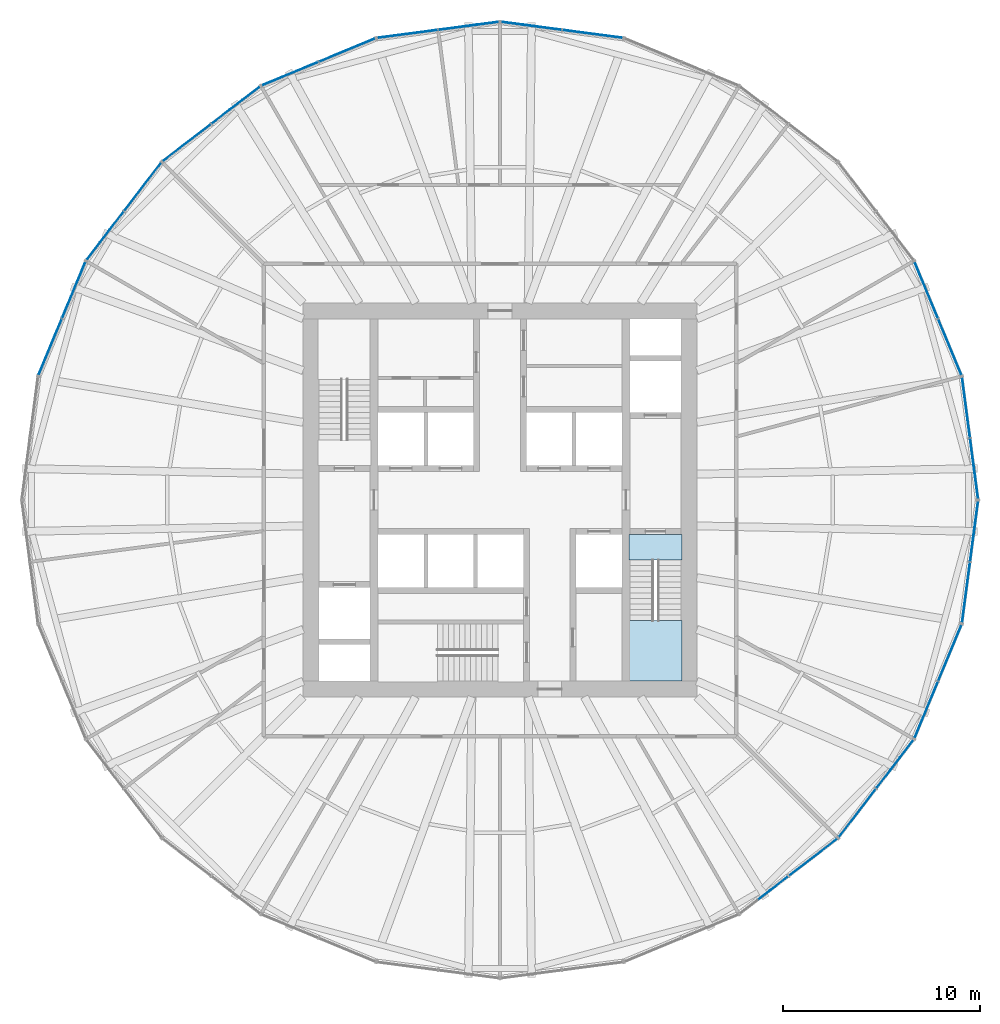
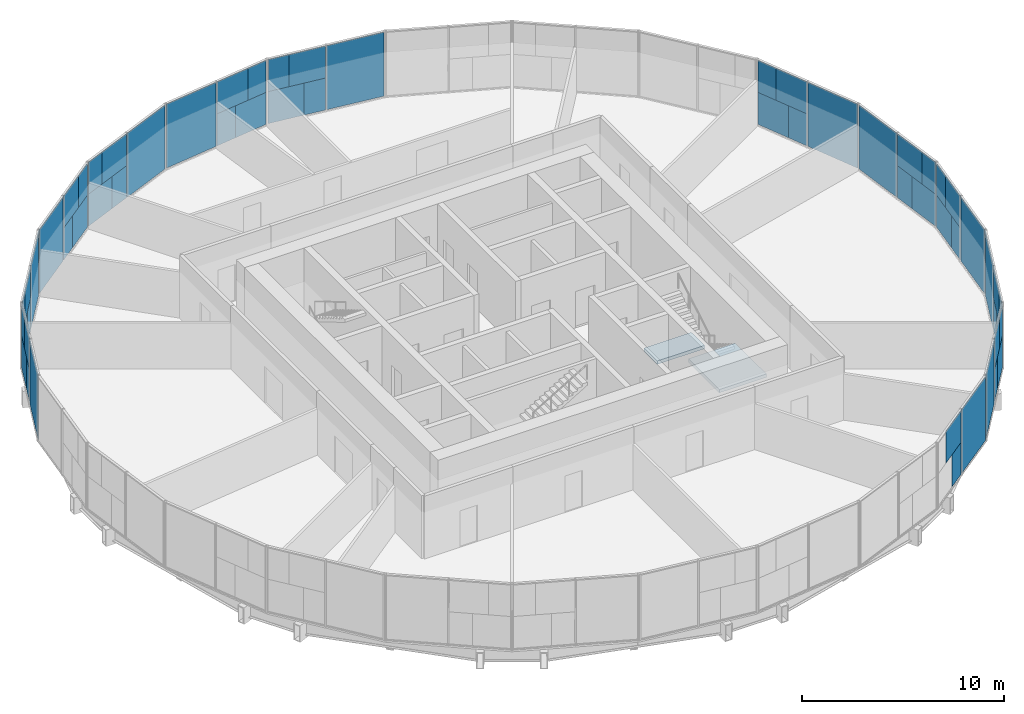
# One storey, part 9 of 13: 58 plates, 2 slabs, 13 elements without a shape of their own.
"""IFC4 building model written with IfcOpenShell, lengths in metres."""

from ifc_helpers import new_model, si_unit, direction, frame, origin, origin_2d, place, context, subcontext, project, spatial, polyline, rectangle, outline, extrude, material, layer, layer_set, type_object, element, aggregate, save


model = new_model("IFC4")

# Units and contexts
model_context = context("Model", 3, precision=1e-05, world=origin(), true_north=direction((0.0, 1.0)))
body_context = subcontext(model_context, "Body", "Model", "MODEL_VIEW")
ifc_project = project(units=[si_unit("LENGTHUNIT", "METRE"), si_unit("AREAUNIT", "SQUARE_METRE"), si_unit("VOLUMEUNIT", "CUBIC_METRE"), si_unit("PLANEANGLEUNIT", "RADIAN"), si_unit("MASSUNIT", "GRAM", prefix="KILO")], contexts=[model_context])

# Site, building, storey
site_placement = place(None, origin())
site = spatial("IfcSite", under=ifc_project, at=site_placement, CompositionType="ELEMENT")
building_placement = place(site_placement, origin())
building = spatial("IfcBuilding", under=site, at=building_placement, Name="Golbaran Civic Tower", CompositionType="ELEMENT")
storey_placement = place(building_placement, frame((0.0, 0.0, 81.0)))
storey = spatial("IfcBuildingStorey", under=building, at=storey_placement, Name="L19", CompositionType="ELEMENT", Elevation=81.0)

# Curtain wall, plates
ifc_material_1 = material(Name="Aluminium and glass", Category="aluminium")
curtain_wall_type = type_object("IfcCurtainWallType", Name="INNER SKIN CURTAIN WALL", PredefinedType="NOTDEFINED", material=ifc_material_1)
curtain_wall_1_placement = place(storey_placement, origin())
curtain_wall_1 = element("IfcCurtainWall", 1, at=curtain_wall_1_placement, inside=storey, type_object=curtain_wall_type, Name="Inner skin L19 facet 1 CW1", ObjectType="INNER SKIN", PredefinedType="USERDEFINED")
ifc_material_2 = material(Name="Clear insulating glass", Category="glass")
ifc_layer_1 = layer(ifc_material_2, 0.031982421875, Name="Clear insulating glass")
ifc_layer_set_1 = layer_set([ifc_layer_1], Name="Clear insulating glass")
plate_type_1 = type_object("IfcPlateType", Name="INNER SKIN CURTAIN WALL GLAZED PANEL", PredefinedType="CURTAIN_PANEL", material=ifc_layer_set_1)
plate_1_placement = place(storey_placement, frame((23.95654296875, 2.53271484375, 0.06494140625), z_axis=(0.0, 0.0, 1.0), x_axis=(-0.130526192151, 0.991444861383, 0.0)))
plate_1 = element("IfcPlate", 2, at=plate_1_placement, type_object=plate_type_1, Name="CW1 panel 1.1 part 2", PredefinedType="CURTAIN_PANEL", context=body_context, shape_type="SweptSolid", body=[
    extrude(rectangle(XDim=1.1669921875, YDim=0.031982421875, at=origin_2d()), origin(), (0.0, 0.0, 1.0), 1.93505859375),
])
plate_2_placement = place(storey_placement, frame((24.00830078125, 2.140625, 2.0), z_axis=(0.0, 0.0, 1.0), x_axis=(-0.130526192151, 0.991444861383, 0.0)))
plate_2 = element("IfcPlate", 3, at=plate_2_placement, type_object=plate_type_1, Name="CW1 panel 1.1 part 4", PredefinedType="CURTAIN_PANEL", context=body_context, shape_type="SweptSolid", body=[
    extrude(rectangle(XDim=1.9580078125, YDim=0.031982421875, at=origin_2d()), origin(), (0.0, 0.0, 1.0), 1.93505859375),
])
plate_3_placement = place(storey_placement, frame((23.67138671875, 4.698974609375, 0.06494140625), z_axis=(0.0, 0.0, 1.0), x_axis=(-0.130526192151, 0.991444861383, 0.0)))
plate_3 = element("IfcPlate", 4, at=plate_3_placement, type_object=plate_type_1, Name="CW1 panel 2.1", PredefinedType="CURTAIN_PANEL", context=body_context, shape_type="SweptSolid", body=[
    extrude(rectangle(XDim=3.072998046875, YDim=0.031982421875, at=origin_2d()), origin(), (0.0, 0.0, 1.0), 3.8701171875),
])

curtain_wall_2_placement = place(storey_placement, origin())
curtain_wall_2 = element("IfcCurtainWall", 5, at=curtain_wall_2_placement, inside=storey, type_object=curtain_wall_type, Name="Inner skin L19 facet 2 CW1", ObjectType="INNER SKIN", PredefinedType="USERDEFINED")
plate_4_placement = place(storey_placement, frame((22.849365234375, 7.766357421875, 0.06494140625), z_axis=(0.0, 0.0, 1.0), x_axis=(-0.382683432446, 0.923879532478, 0.0)))
plate_4 = element("IfcPlate", 6, at=plate_4_placement, type_object=plate_type_1, Name="CW1 panel 1.1", PredefinedType="CURTAIN_PANEL", context=body_context, shape_type="SweptSolid", body=[
    extrude(rectangle(XDim=3.072998046875, YDim=0.031982421875, at=origin_2d()), origin(), (0.0, 0.0, 1.0), 3.8701171875),
])
plate_5_placement = place(storey_placement, frame((22.013427734375, 9.784912109375, 0.06494140625), z_axis=(0.0, 0.0, 1.0), x_axis=(-0.382683432446, 0.923879532478, 0.0)))
plate_5 = element("IfcPlate", 7, at=plate_5_placement, type_object=plate_type_1, Name="CW1 panel 2.1 part 1", PredefinedType="CURTAIN_PANEL", context=body_context, shape_type="SweptSolid", body=[
    extrude(rectangle(XDim=1.1669921875, YDim=0.031982421875, at=origin_2d()), origin(), (0.0, 0.0, 1.0), 1.93505859375),
])
plate_6_placement = place(storey_placement, frame((21.862060546875, 10.150390625, 2.0), z_axis=(0.0, 0.0, 1.0), x_axis=(-0.382683432446, 0.923879532478, 0.0)))
plate_6 = element("IfcPlate", 8, at=plate_6_placement, type_object=plate_type_1, Name="CW1 panel 2.1 part 3", PredefinedType="CURTAIN_PANEL", context=body_context, shape_type="SweptSolid", body=[
    extrude(rectangle(XDim=1.9580078125, YDim=0.031982421875, at=origin_2d()), origin(), (0.0, 0.0, 1.0), 1.93505859375),
])

curtain_wall_3_placement = place(storey_placement, origin())
curtain_wall_3 = element("IfcCurtainWall", 9, at=curtain_wall_3_placement, inside=storey, type_object=curtain_wall_type, Name="Inner skin L19 facet 6 CW1", ObjectType="INNER SKIN", PredefinedType="USERDEFINED")
plate_7_placement = place(storey_placement, frame((4.698974609375, 23.67138671875, 0.06494140625), z_axis=(0.0, 0.0, 1.0), x_axis=(-0.991444861383, 0.130526192151, 0.0)))
plate_7 = element("IfcPlate", 10, at=plate_7_placement, type_object=plate_type_1, Name="CW1 panel 1.1", PredefinedType="CURTAIN_PANEL", context=body_context, shape_type="SweptSolid", body=[
    extrude(rectangle(XDim=3.072998046875, YDim=0.031982421875, at=origin_2d()), origin(), (0.0, 0.0, 1.0), 3.8701171875),
])
plate_8_placement = place(storey_placement, frame((2.53271484375, 23.95654296875, 0.06494140625), z_axis=(0.0, 0.0, 1.0), x_axis=(-0.991444861383, 0.130526192151, 0.0)))
plate_8 = element("IfcPlate", 11, at=plate_8_placement, type_object=plate_type_1, Name="CW1 panel 2.1 part 1", PredefinedType="CURTAIN_PANEL", context=body_context, shape_type="SweptSolid", body=[
    extrude(rectangle(XDim=1.1669921875, YDim=0.031982421875, at=origin_2d()), origin(), (0.0, 0.0, 1.0), 1.93505859375),
])
plate_9_placement = place(storey_placement, frame((2.140625, 24.00830078125, 2.0), z_axis=(0.0, 0.0, 1.0), x_axis=(-0.991444861383, 0.130526192151, 0.0)))
plate_9 = element("IfcPlate", 12, at=plate_9_placement, type_object=plate_type_1, Name="CW1 panel 2.1 part 3", PredefinedType="CURTAIN_PANEL", context=body_context, shape_type="SweptSolid", body=[
    extrude(rectangle(XDim=1.9580078125, YDim=0.031982421875, at=origin_2d()), origin(), (0.0, 0.0, 1.0), 1.93505859375),
])

curtain_wall_4_placement = place(storey_placement, origin())
curtain_wall_4 = element("IfcCurtainWall", 13, at=curtain_wall_4_placement, inside=storey, type_object=curtain_wall_type, Name="Inner skin L19 facet 7 CW1", ObjectType="INNER SKIN", PredefinedType="USERDEFINED")
plate_10_placement = place(storey_placement, frame((-2.53271484375, 23.95654296875, 0.06494140625), z_axis=(0.0, 0.0, 1.0), x_axis=(-0.991444861383, -0.130526192151, 0.0)))
plate_10 = element("IfcPlate", 14, at=plate_10_placement, type_object=plate_type_1, Name="CW1 panel 1.1 part 2", PredefinedType="CURTAIN_PANEL", context=body_context, shape_type="SweptSolid", body=[
    extrude(rectangle(XDim=1.1669921875, YDim=0.031982421875, at=origin_2d()), origin(), (0.0, 0.0, 1.0), 1.93505859375),
])
plate_11_placement = place(storey_placement, frame((-2.140625, 24.00830078125, 2.0), z_axis=(0.0, 0.0, 1.0), x_axis=(-0.991444861383, -0.130526192151, 0.0)))
plate_11 = element("IfcPlate", 15, at=plate_11_placement, type_object=plate_type_1, Name="CW1 panel 1.1 part 4", PredefinedType="CURTAIN_PANEL", context=body_context, shape_type="SweptSolid", body=[
    extrude(rectangle(XDim=1.9580078125, YDim=0.031982421875, at=origin_2d()), origin(), (0.0, 0.0, 1.0), 1.93505859375),
])
plate_12_placement = place(storey_placement, frame((-4.698974609375, 23.67138671875, 0.06494140625), z_axis=(0.0, 0.0, 1.0), x_axis=(-0.991444861383, -0.130526192151, 0.0)))
plate_12 = element("IfcPlate", 16, at=plate_12_placement, type_object=plate_type_1, Name="CW1 panel 2.1", PredefinedType="CURTAIN_PANEL", context=body_context, shape_type="SweptSolid", body=[
    extrude(rectangle(XDim=3.072998046875, YDim=0.031982421875, at=origin_2d()), origin(), (0.0, 0.0, 1.0), 3.8701171875),
])

curtain_wall_5_placement = place(storey_placement, origin())
curtain_wall_5 = element("IfcCurtainWall", 17, at=curtain_wall_5_placement, inside=storey, type_object=curtain_wall_type, Name="Inner skin L19 facet 8 CW1", ObjectType="INNER SKIN", PredefinedType="USERDEFINED")
plate_13_placement = place(storey_placement, frame((-7.766357421875, 22.849365234375, 0.06494140625), z_axis=(0.0, 0.0, 1.0), x_axis=(-0.923879532478, -0.382683432446, 0.0)))
plate_13 = element("IfcPlate", 18, at=plate_13_placement, type_object=plate_type_1, Name="CW1 panel 1.1", PredefinedType="CURTAIN_PANEL", context=body_context, shape_type="SweptSolid", body=[
    extrude(rectangle(XDim=3.072998046875, YDim=0.031982421875, at=origin_2d()), origin(), (0.0, 0.0, 1.0), 3.8701171875),
])
plate_14_placement = place(storey_placement, frame((-9.784912109375, 22.013427734375, 0.06494140625), z_axis=(0.0, 0.0, 1.0), x_axis=(-0.923879532478, -0.382683432446, 0.0)))
plate_14 = element("IfcPlate", 19, at=plate_14_placement, type_object=plate_type_1, Name="CW1 panel 2.1 part 1", PredefinedType="CURTAIN_PANEL", context=body_context, shape_type="SweptSolid", body=[
    extrude(rectangle(XDim=1.1669921875, YDim=0.031982421875, at=origin_2d()), origin(), (0.0, 0.0, 1.0), 1.93505859375),
])
plate_15_placement = place(storey_placement, frame((-10.150390625, 21.862060546875, 2.0), z_axis=(0.0, 0.0, 1.0), x_axis=(-0.923879532478, -0.382683432446, 0.0)))
plate_15 = element("IfcPlate", 20, at=plate_15_placement, type_object=plate_type_1, Name="CW1 panel 2.1 part 3", PredefinedType="CURTAIN_PANEL", context=body_context, shape_type="SweptSolid", body=[
    extrude(rectangle(XDim=1.9580078125, YDim=0.031982421875, at=origin_2d()), origin(), (0.0, 0.0, 1.0), 1.93505859375),
])

curtain_wall_6_placement = place(storey_placement, origin())
curtain_wall_6 = element("IfcCurtainWall", 21, at=curtain_wall_6_placement, inside=storey, type_object=curtain_wall_type, Name="Inner skin L19 facet 9 CW1", ObjectType="INNER SKIN", PredefinedType="USERDEFINED")
plate_16_placement = place(storey_placement, frame((-14.171630859375, 19.480712890625, 0.06494140625), z_axis=(0.0, 0.0, 1.0), x_axis=(-0.793353340281, -0.608761429023, 0.0)))
plate_16 = element("IfcPlate", 22, at=plate_16_placement, type_object=plate_type_1, Name="CW1 panel 1.1 part 2", PredefinedType="CURTAIN_PANEL", context=body_context, shape_type="SweptSolid", body=[
    extrude(rectangle(XDim=1.1669921875, YDim=0.031982421875, at=origin_2d()), origin(), (0.0, 0.0, 1.0), 1.93505859375),
])
plate_17_placement = place(storey_placement, frame((-13.85791015625, 19.721435546875, 2.0), z_axis=(0.0, 0.0, 1.0), x_axis=(-0.793353340281, -0.608761429023, 0.0)))
plate_17 = element("IfcPlate", 23, at=plate_17_placement, type_object=plate_type_1, Name="CW1 panel 1.1 part 4", PredefinedType="CURTAIN_PANEL", context=body_context, shape_type="SweptSolid", body=[
    extrude(rectangle(XDim=1.9580078125, YDim=0.031982421875, at=origin_2d()), origin(), (0.0, 0.0, 1.0), 1.93505859375),
])
plate_18_placement = place(storey_placement, frame((-15.905029296875, 18.150634765625, 0.06494140625), z_axis=(0.0, 0.0, 1.0), x_axis=(-0.793353340281, -0.608761429023, 0.0)))
plate_18 = element("IfcPlate", 24, at=plate_18_placement, type_object=plate_type_1, Name="CW1 panel 2.1", PredefinedType="CURTAIN_PANEL", context=body_context, shape_type="SweptSolid", body=[
    extrude(rectangle(XDim=3.072998046875, YDim=0.031982421875, at=origin_2d()), origin(), (0.0, 0.0, 1.0), 3.8701171875),
])

curtain_wall_7_placement = place(storey_placement, origin())
curtain_wall_7 = element("IfcCurtainWall", 25, at=curtain_wall_7_placement, inside=storey, type_object=curtain_wall_type, Name="Inner skin L19 facet 10 CW1", ObjectType="INNER SKIN", PredefinedType="USERDEFINED")
plate_19_placement = place(storey_placement, frame((-18.150634765625, 15.905029296875, 0.06494140625), z_axis=(0.0, 0.0, 1.0), x_axis=(-0.608761429023, -0.793353340281, 0.0)))
plate_19 = element("IfcPlate", 26, at=plate_19_placement, type_object=plate_type_1, Name="CW1 panel 1.1", PredefinedType="CURTAIN_PANEL", context=body_context, shape_type="SweptSolid", body=[
    extrude(rectangle(XDim=3.072998046875, YDim=0.031982421875, at=origin_2d()), origin(), (0.0, 0.0, 1.0), 3.8701171875),
])
plate_20_placement = place(storey_placement, frame((-19.480712890625, 14.171630859375, 0.06494140625), z_axis=(0.0, 0.0, 1.0), x_axis=(-0.608761429023, -0.793353340281, 0.0)))
plate_20 = element("IfcPlate", 27, at=plate_20_placement, type_object=plate_type_1, Name="CW1 panel 2.1 part 1", PredefinedType="CURTAIN_PANEL", context=body_context, shape_type="SweptSolid", body=[
    extrude(rectangle(XDim=1.1669921875, YDim=0.031982421875, at=origin_2d()), origin(), (0.0, 0.0, 1.0), 1.93505859375),
])
plate_21_placement = place(storey_placement, frame((-19.721435546875, 13.85791015625, 2.0), z_axis=(0.0, 0.0, 1.0), x_axis=(-0.608761429023, -0.793353340281, 0.0)))
plate_21 = element("IfcPlate", 28, at=plate_21_placement, type_object=plate_type_1, Name="CW1 panel 2.1 part 3", PredefinedType="CURTAIN_PANEL", context=body_context, shape_type="SweptSolid", body=[
    extrude(rectangle(XDim=1.9580078125, YDim=0.031982421875, at=origin_2d()), origin(), (0.0, 0.0, 1.0), 1.93505859375),
])

curtain_wall_8_placement = place(storey_placement, origin())
curtain_wall_8 = element("IfcCurtainWall", 29, at=curtain_wall_8_placement, inside=storey, type_object=curtain_wall_type, Name="Inner skin L19 facet 11 CW1", ObjectType="INNER SKIN", PredefinedType="USERDEFINED")
plate_22_placement = place(storey_placement, frame((-22.013427734375, 9.784912109375, 0.06494140625), z_axis=(0.0, 0.0, 1.0), x_axis=(-0.382683432446, -0.923879532478, 0.0)))
plate_22 = element("IfcPlate", 30, at=plate_22_placement, type_object=plate_type_1, Name="CW1 panel 1.1 part 2", PredefinedType="CURTAIN_PANEL", context=body_context, shape_type="SweptSolid", body=[
    extrude(rectangle(XDim=1.1669921875, YDim=0.031982421875, at=origin_2d()), origin(), (0.0, 0.0, 1.0), 1.93505859375),
])
plate_23_placement = place(storey_placement, frame((-21.862060546875, 10.150390625, 2.0), z_axis=(0.0, 0.0, 1.0), x_axis=(-0.382683432446, -0.923879532478, 0.0)))
plate_23 = element("IfcPlate", 31, at=plate_23_placement, type_object=plate_type_1, Name="CW1 panel 1.1 part 4", PredefinedType="CURTAIN_PANEL", context=body_context, shape_type="SweptSolid", body=[
    extrude(rectangle(XDim=1.9580078125, YDim=0.031982421875, at=origin_2d()), origin(), (0.0, 0.0, 1.0), 1.93505859375),
])
plate_24_placement = place(storey_placement, frame((-22.849365234375, 7.766357421875, 0.06494140625), z_axis=(0.0, 0.0, 1.0), x_axis=(-0.382683432446, -0.923879532478, 0.0)))
plate_24 = element("IfcPlate", 32, at=plate_24_placement, type_object=plate_type_1, Name="CW1 panel 2.1", PredefinedType="CURTAIN_PANEL", context=body_context, shape_type="SweptSolid", body=[
    extrude(rectangle(XDim=3.072998046875, YDim=0.031982421875, at=origin_2d()), origin(), (0.0, 0.0, 1.0), 3.8701171875),
])

curtain_wall_9_placement = place(storey_placement, origin())
curtain_wall_9 = element("IfcCurtainWall", 33, at=curtain_wall_9_placement, inside=storey, type_object=curtain_wall_type, Name="Inner skin L19 facet 21 CW1", ObjectType="INNER SKIN", PredefinedType="USERDEFINED")
plate_25_placement = place(storey_placement, frame((14.171630859375, -19.480712890625, 0.06494140625), z_axis=(0.0, 0.0, 1.0), x_axis=(0.793353340281, 0.608761429023, 0.0)))
plate_25 = element("IfcPlate", 34, at=plate_25_placement, type_object=plate_type_1, Name="CW1 panel 1.1 part 2", PredefinedType="CURTAIN_PANEL", context=body_context, shape_type="SweptSolid", body=[
    extrude(rectangle(XDim=1.1669921875, YDim=0.031982421875, at=origin_2d()), origin(), (0.0, 0.0, 1.0), 1.93505859375),
])
plate_26_placement = place(storey_placement, frame((13.85791015625, -19.721435546875, 2.0), z_axis=(0.0, 0.0, 1.0), x_axis=(0.793353340281, 0.608761429023, 0.0)))
plate_26 = element("IfcPlate", 35, at=plate_26_placement, type_object=plate_type_1, Name="CW1 panel 1.1 part 4", PredefinedType="CURTAIN_PANEL", context=body_context, shape_type="SweptSolid", body=[
    extrude(rectangle(XDim=1.9580078125, YDim=0.031982421875, at=origin_2d()), origin(), (0.0, 0.0, 1.0), 1.93505859375),
])
plate_27_placement = place(storey_placement, frame((15.905029296875, -18.150634765625, 0.06494140625), z_axis=(0.0, 0.0, 1.0), x_axis=(0.793353340281, 0.608761429023, 0.0)))
plate_27 = element("IfcPlate", 36, at=plate_27_placement, type_object=plate_type_1, Name="CW1 panel 2.1", PredefinedType="CURTAIN_PANEL", context=body_context, shape_type="SweptSolid", body=[
    extrude(rectangle(XDim=3.072998046875, YDim=0.031982421875, at=origin_2d()), origin(), (0.0, 0.0, 1.0), 3.8701171875),
])
aggregate(curtain_wall_9, [plate_25, plate_26, plate_27])

curtain_wall_10_placement = place(storey_placement, origin())
curtain_wall_10 = element("IfcCurtainWall", 37, at=curtain_wall_10_placement, inside=storey, type_object=curtain_wall_type, Name="Inner skin L19 facet 22 CW1", ObjectType="INNER SKIN", PredefinedType="USERDEFINED")
plate_28_placement = place(storey_placement, frame((18.150634765625, -15.905029296875, 0.06494140625), z_axis=(0.0, 0.0, 1.0), x_axis=(0.608761429023, 0.793353340281, 0.0)))
plate_28 = element("IfcPlate", 38, at=plate_28_placement, type_object=plate_type_1, Name="CW1 panel 1.1", PredefinedType="CURTAIN_PANEL", context=body_context, shape_type="SweptSolid", body=[
    extrude(rectangle(XDim=3.072998046875, YDim=0.031982421875, at=origin_2d()), origin(), (0.0, 0.0, 1.0), 3.8701171875),
])
plate_29_placement = place(storey_placement, frame((19.480712890625, -14.171630859375, 0.06494140625), z_axis=(0.0, 0.0, 1.0), x_axis=(0.608761429023, 0.793353340281, 0.0)))
plate_29 = element("IfcPlate", 39, at=plate_29_placement, type_object=plate_type_1, Name="CW1 panel 2.1 part 1", PredefinedType="CURTAIN_PANEL", context=body_context, shape_type="SweptSolid", body=[
    extrude(rectangle(XDim=1.1669921875, YDim=0.031982421875, at=origin_2d()), origin(), (0.0, 0.0, 1.0), 1.93505859375),
])
plate_30_placement = place(storey_placement, frame((19.721435546875, -13.85791015625, 2.0), z_axis=(0.0, 0.0, 1.0), x_axis=(0.608761429023, 0.793353340281, 0.0)))
plate_30 = element("IfcPlate", 40, at=plate_30_placement, type_object=plate_type_1, Name="CW1 panel 2.1 part 3", PredefinedType="CURTAIN_PANEL", context=body_context, shape_type="SweptSolid", body=[
    extrude(rectangle(XDim=1.9580078125, YDim=0.031982421875, at=origin_2d()), origin(), (0.0, 0.0, 1.0), 1.93505859375),
])

curtain_wall_11_placement = place(storey_placement, origin())
curtain_wall_11 = element("IfcCurtainWall", 41, at=curtain_wall_11_placement, inside=storey, type_object=curtain_wall_type, Name="Inner skin L19 facet 23 CW1", ObjectType="INNER SKIN", PredefinedType="USERDEFINED")
plate_31_placement = place(storey_placement, frame((22.013427734375, -9.784912109375, 0.06494140625), z_axis=(0.0, 0.0, 1.0), x_axis=(0.382683432446, 0.923879532478, 0.0)))
plate_31 = element("IfcPlate", 42, at=plate_31_placement, type_object=plate_type_1, Name="CW1 panel 1.1 part 2", PredefinedType="CURTAIN_PANEL", context=body_context, shape_type="SweptSolid", body=[
    extrude(rectangle(XDim=1.1669921875, YDim=0.031982421875, at=origin_2d()), origin(), (0.0, 0.0, 1.0), 1.93505859375),
])
plate_32_placement = place(storey_placement, frame((21.862060546875, -10.150390625, 2.0), z_axis=(0.0, 0.0, 1.0), x_axis=(0.382683432446, 0.923879532478, 0.0)))
plate_32 = element("IfcPlate", 43, at=plate_32_placement, type_object=plate_type_1, Name="CW1 panel 1.1 part 4", PredefinedType="CURTAIN_PANEL", context=body_context, shape_type="SweptSolid", body=[
    extrude(rectangle(XDim=1.9580078125, YDim=0.031982421875, at=origin_2d()), origin(), (0.0, 0.0, 1.0), 1.93505859375),
])
plate_33_placement = place(storey_placement, frame((22.849365234375, -7.766357421875, 0.06494140625), z_axis=(0.0, 0.0, 1.0), x_axis=(0.382683432446, 0.923879532478, 0.0)))
plate_33 = element("IfcPlate", 44, at=plate_33_placement, type_object=plate_type_1, Name="CW1 panel 2.1", PredefinedType="CURTAIN_PANEL", context=body_context, shape_type="SweptSolid", body=[
    extrude(rectangle(XDim=3.072998046875, YDim=0.031982421875, at=origin_2d()), origin(), (0.0, 0.0, 1.0), 3.8701171875),
])

curtain_wall_12_placement = place(storey_placement, origin())
curtain_wall_12 = element("IfcCurtainWall", 45, at=curtain_wall_12_placement, inside=storey, type_object=curtain_wall_type, Name="Inner skin L19 facet 24 CW1", ObjectType="INNER SKIN", PredefinedType="USERDEFINED")
plate_34_placement = place(storey_placement, frame((23.67138671875, -4.698974609375, 0.06494140625), z_axis=(0.0, 0.0, 1.0), x_axis=(0.130526192151, 0.991444861383, 0.0)))
plate_34 = element("IfcPlate", 46, at=plate_34_placement, type_object=plate_type_1, Name="CW1 panel 1.1", PredefinedType="CURTAIN_PANEL", context=body_context, shape_type="SweptSolid", body=[
    extrude(rectangle(XDim=3.072998046875, YDim=0.031982421875, at=origin_2d()), origin(), (0.0, 0.0, 1.0), 3.8701171875),
])
plate_35_placement = place(storey_placement, frame((23.95654296875, -2.53271484375, 0.06494140625), z_axis=(0.0, 0.0, 1.0), x_axis=(0.130526192151, 0.991444861383, 0.0)))
plate_35 = element("IfcPlate", 47, at=plate_35_placement, type_object=plate_type_1, Name="CW1 panel 2.1 part 1", PredefinedType="CURTAIN_PANEL", context=body_context, shape_type="SweptSolid", body=[
    extrude(rectangle(XDim=1.1669921875, YDim=0.031982421875, at=origin_2d()), origin(), (0.0, 0.0, 1.0), 1.93505859375),
])
plate_36_placement = place(storey_placement, frame((24.00830078125, -2.140625, 2.0), z_axis=(0.0, 0.0, 1.0), x_axis=(0.130526192151, 0.991444861383, 0.0)))
plate_36 = element("IfcPlate", 48, at=plate_36_placement, type_object=plate_type_1, Name="CW1 panel 2.1 part 3", PredefinedType="CURTAIN_PANEL", context=body_context, shape_type="SweptSolid", body=[
    extrude(rectangle(XDim=1.9580078125, YDim=0.031982421875, at=origin_2d()), origin(), (0.0, 0.0, 1.0), 1.93505859375),
])

# Plate
ifc_material_3 = material(Name="Aluminium faced opaque infill panel", Category="aluminium")
ifc_layer_2 = layer(ifc_material_3, 0.031982421875, Name="Aluminium faced opaque infill panel")
ifc_layer_set_2 = layer_set([ifc_layer_2], Name="Aluminium faced opaque infill panel")
plate_type_2 = type_object("IfcPlateType", Name="INNER SKIN CURTAIN WALL OPAQUE INFILL PANEL", PredefinedType="CURTAIN_PANEL", material=ifc_layer_set_2)
plate_37_placement = place(storey_placement, frame((24.1572265625, 1.00927734375, 0.06494140625), z_axis=(0.0, 0.0, 1.0), x_axis=(-0.130526192151, 0.991444861383, 0.0)))
plate_37 = element("IfcPlate", 49, at=plate_37_placement, type_object=plate_type_2, Name="CW1 infill panel 1.1 part 1", PredefinedType="CURTAIN_PANEL", context=body_context, shape_type="SweptSolid", body=[
    extrude(rectangle(XDim=1.906005859375, YDim=0.031982421875, at=origin_2d()), origin(), (0.0, 0.0, 1.0), 1.93505859375),
])

plate_38_placement = place(storey_placement, frame((24.208740234375, 0.6171875, 2.0), z_axis=(0.0, 0.0, 1.0), x_axis=(-0.130526192151, 0.991444861383, 0.0)))
plate_38 = element("IfcPlate", 50, at=plate_38_placement, type_object=plate_type_2, Name="CW1 infill panel 1.1 part 3", PredefinedType="CURTAIN_PANEL", context=body_context, shape_type="SweptSolid", body=[
    extrude(rectangle(XDim=1.114990234375, YDim=0.031982421875, at=origin_2d()), origin(), (0.0, 0.0, 1.0), 1.93505859375),
])

aggregate(curtain_wall_1, [plate_37, plate_1, plate_38, plate_2, plate_3])

plate_39_placement = place(storey_placement, frame((21.42529296875, 11.20458984375, 0.06494140625), z_axis=(0.0, 0.0, 1.0), x_axis=(-0.382683432446, 0.923879532478, 0.0)))
plate_39 = element("IfcPlate", 51, at=plate_39_placement, type_object=plate_type_2, Name="CW1 infill panel 2.1 part 2", PredefinedType="CURTAIN_PANEL", context=body_context, shape_type="SweptSolid", body=[
    extrude(rectangle(XDim=1.906005859375, YDim=0.031982421875, at=origin_2d()), origin(), (0.0, 0.0, 1.0), 1.93505859375),
])

plate_40_placement = place(storey_placement, frame((21.27392578125, 11.56982421875, 2.0), z_axis=(0.0, 0.0, 1.0), x_axis=(-0.382683432446, 0.923879532478, 0.0)))
plate_40 = element("IfcPlate", 52, at=plate_40_placement, type_object=plate_type_2, Name="CW1 infill panel 2.1 part 4", PredefinedType="CURTAIN_PANEL", context=body_context, shape_type="SweptSolid", body=[
    extrude(rectangle(XDim=1.114990234375, YDim=0.031982421875, at=origin_2d()), origin(), (0.0, 0.0, 1.0), 1.93505859375),
])

aggregate(curtain_wall_2, [plate_4, plate_5, plate_39, plate_6, plate_40])

plate_41_placement = place(storey_placement, frame((1.00927734375, 24.1572265625, 0.06494140625), z_axis=(0.0, 0.0, 1.0), x_axis=(-0.991444861383, 0.130526192151, 0.0)))
plate_41 = element("IfcPlate", 53, at=plate_41_placement, type_object=plate_type_2, Name="CW1 infill panel 2.1 part 2", PredefinedType="CURTAIN_PANEL", context=body_context, shape_type="SweptSolid", body=[
    extrude(rectangle(XDim=1.906005859375, YDim=0.031982421875, at=origin_2d()), origin(), (0.0, 0.0, 1.0), 1.93505859375),
])

plate_42_placement = place(storey_placement, frame((0.6171875, 24.208740234375, 2.0), z_axis=(0.0, 0.0, 1.0), x_axis=(-0.991444861383, 0.130526192151, 0.0)))
plate_42 = element("IfcPlate", 54, at=plate_42_placement, type_object=plate_type_2, Name="CW1 infill panel 2.1 part 4", PredefinedType="CURTAIN_PANEL", context=body_context, shape_type="SweptSolid", body=[
    extrude(rectangle(XDim=1.114990234375, YDim=0.031982421875, at=origin_2d()), origin(), (0.0, 0.0, 1.0), 1.93505859375),
])

aggregate(curtain_wall_3, [plate_7, plate_8, plate_41, plate_9, plate_42])

plate_43_placement = place(storey_placement, frame((-1.00927734375, 24.1572265625, 0.06494140625), z_axis=(0.0, 0.0, 1.0), x_axis=(-0.991444861383, -0.130526192151, 0.0)))
plate_43 = element("IfcPlate", 55, at=plate_43_placement, type_object=plate_type_2, Name="CW1 infill panel 1.1 part 1", PredefinedType="CURTAIN_PANEL", context=body_context, shape_type="SweptSolid", body=[
    extrude(rectangle(XDim=1.906005859375, YDim=0.031982421875, at=origin_2d()), origin(), (0.0, 0.0, 1.0), 1.93505859375),
])

plate_44_placement = place(storey_placement, frame((-0.6171875, 24.208740234375, 2.0), z_axis=(0.0, 0.0, 1.0), x_axis=(-0.991444861383, -0.130526192151, 0.0)))
plate_44 = element("IfcPlate", 56, at=plate_44_placement, type_object=plate_type_2, Name="CW1 infill panel 1.1 part 3", PredefinedType="CURTAIN_PANEL", context=body_context, shape_type="SweptSolid", body=[
    extrude(rectangle(XDim=1.114990234375, YDim=0.031982421875, at=origin_2d()), origin(), (0.0, 0.0, 1.0), 1.93505859375),
])

aggregate(curtain_wall_4, [plate_43, plate_10, plate_44, plate_11, plate_12])

plate_45_placement = place(storey_placement, frame((-11.20458984375, 21.42529296875, 0.06494140625), z_axis=(0.0, 0.0, 1.0), x_axis=(-0.923879532478, -0.382683432446, 0.0)))
plate_45 = element("IfcPlate", 57, at=plate_45_placement, type_object=plate_type_2, Name="CW1 infill panel 2.1 part 2", PredefinedType="CURTAIN_PANEL", context=body_context, shape_type="SweptSolid", body=[
    extrude(rectangle(XDim=1.906005859375, YDim=0.031982421875, at=origin_2d()), origin(), (0.0, 0.0, 1.0), 1.93505859375),
])

plate_46_placement = place(storey_placement, frame((-11.56982421875, 21.27392578125, 2.0), z_axis=(0.0, 0.0, 1.0), x_axis=(-0.923879532478, -0.382683432446, 0.0)))
plate_46 = element("IfcPlate", 58, at=plate_46_placement, type_object=plate_type_2, Name="CW1 infill panel 2.1 part 4", PredefinedType="CURTAIN_PANEL", context=body_context, shape_type="SweptSolid", body=[
    extrude(rectangle(XDim=1.114990234375, YDim=0.031982421875, at=origin_2d()), origin(), (0.0, 0.0, 1.0), 1.93505859375),
])

aggregate(curtain_wall_5, [plate_13, plate_14, plate_45, plate_15, plate_46])

plate_47_placement = place(storey_placement, frame((-12.95263671875, 20.416015625, 0.06494140625), z_axis=(0.0, 0.0, 1.0), x_axis=(-0.793353340281, -0.608761429023, 0.0)))
plate_47 = element("IfcPlate", 59, at=plate_47_placement, type_object=plate_type_2, Name="CW1 infill panel 1.1 part 1", PredefinedType="CURTAIN_PANEL", context=body_context, shape_type="SweptSolid", body=[
    extrude(rectangle(XDim=1.906005859375, YDim=0.031982421875, at=origin_2d()), origin(), (0.0, 0.0, 1.0), 1.93505859375),
])

plate_48_placement = place(storey_placement, frame((-12.638916015625, 20.65673828125, 2.0), z_axis=(0.0, 0.0, 1.0), x_axis=(-0.793353340281, -0.608761429023, 0.0)))
plate_48 = element("IfcPlate", 60, at=plate_48_placement, type_object=plate_type_2, Name="CW1 infill panel 1.1 part 3", PredefinedType="CURTAIN_PANEL", context=body_context, shape_type="SweptSolid", body=[
    extrude(rectangle(XDim=1.114990234375, YDim=0.031982421875, at=origin_2d()), origin(), (0.0, 0.0, 1.0), 1.93505859375),
])

aggregate(curtain_wall_6, [plate_47, plate_16, plate_48, plate_17, plate_18])

plate_49_placement = place(storey_placement, frame((-20.416015625, 12.95263671875, 0.06494140625), z_axis=(0.0, 0.0, 1.0), x_axis=(-0.608761429023, -0.793353340281, 0.0)))
plate_49 = element("IfcPlate", 61, at=plate_49_placement, type_object=plate_type_2, Name="CW1 infill panel 2.1 part 2", PredefinedType="CURTAIN_PANEL", context=body_context, shape_type="SweptSolid", body=[
    extrude(rectangle(XDim=1.906005859375, YDim=0.031982421875, at=origin_2d()), origin(), (0.0, 0.0, 1.0), 1.93505859375),
])

plate_50_placement = place(storey_placement, frame((-20.65673828125, 12.638916015625, 2.0), z_axis=(0.0, 0.0, 1.0), x_axis=(-0.608761429023, -0.793353340281, 0.0)))
plate_50 = element("IfcPlate", 62, at=plate_50_placement, type_object=plate_type_2, Name="CW1 infill panel 2.1 part 4", PredefinedType="CURTAIN_PANEL", context=body_context, shape_type="SweptSolid", body=[
    extrude(rectangle(XDim=1.114990234375, YDim=0.031982421875, at=origin_2d()), origin(), (0.0, 0.0, 1.0), 1.93505859375),
])

aggregate(curtain_wall_7, [plate_19, plate_20, plate_49, plate_21, plate_50])

plate_51_placement = place(storey_placement, frame((-21.42529296875, 11.20458984375, 0.06494140625), z_axis=(0.0, 0.0, 1.0), x_axis=(-0.382683432446, -0.923879532478, 0.0)))
plate_51 = element("IfcPlate", 63, at=plate_51_placement, type_object=plate_type_2, Name="CW1 infill panel 1.1 part 1", PredefinedType="CURTAIN_PANEL", context=body_context, shape_type="SweptSolid", body=[
    extrude(rectangle(XDim=1.906005859375, YDim=0.031982421875, at=origin_2d()), origin(), (0.0, 0.0, 1.0), 1.93505859375),
])

plate_52_placement = place(storey_placement, frame((-21.27392578125, 11.56982421875, 2.0), z_axis=(0.0, 0.0, 1.0), x_axis=(-0.382683432446, -0.923879532478, 0.0)))
plate_52 = element("IfcPlate", 64, at=plate_52_placement, type_object=plate_type_2, Name="CW1 infill panel 1.1 part 3", PredefinedType="CURTAIN_PANEL", context=body_context, shape_type="SweptSolid", body=[
    extrude(rectangle(XDim=1.114990234375, YDim=0.031982421875, at=origin_2d()), origin(), (0.0, 0.0, 1.0), 1.93505859375),
])

aggregate(curtain_wall_8, [plate_51, plate_22, plate_52, plate_23, plate_24])

plate_53_placement = place(storey_placement, frame((20.416015625, -12.95263671875, 0.06494140625), z_axis=(0.0, 0.0, 1.0), x_axis=(0.608761429023, 0.793353340281, 0.0)))
plate_53 = element("IfcPlate", 65, at=plate_53_placement, type_object=plate_type_2, Name="CW1 infill panel 2.1 part 2", PredefinedType="CURTAIN_PANEL", context=body_context, shape_type="SweptSolid", body=[
    extrude(rectangle(XDim=1.906005859375, YDim=0.031982421875, at=origin_2d()), origin(), (0.0, 0.0, 1.0), 1.93505859375),
])

plate_54_placement = place(storey_placement, frame((20.65673828125, -12.638916015625, 2.0), z_axis=(0.0, 0.0, 1.0), x_axis=(0.608761429023, 0.793353340281, 0.0)))
plate_54 = element("IfcPlate", 66, at=plate_54_placement, type_object=plate_type_2, Name="CW1 infill panel 2.1 part 4", PredefinedType="CURTAIN_PANEL", context=body_context, shape_type="SweptSolid", body=[
    extrude(rectangle(XDim=1.114990234375, YDim=0.031982421875, at=origin_2d()), origin(), (0.0, 0.0, 1.0), 1.93505859375),
])

aggregate(curtain_wall_10, [plate_28, plate_29, plate_53, plate_30, plate_54])

plate_55_placement = place(storey_placement, frame((21.42529296875, -11.20458984375, 0.06494140625), z_axis=(0.0, 0.0, 1.0), x_axis=(0.382683432446, 0.923879532478, 0.0)))
plate_55 = element("IfcPlate", 67, at=plate_55_placement, type_object=plate_type_2, Name="CW1 infill panel 1.1 part 1", PredefinedType="CURTAIN_PANEL", context=body_context, shape_type="SweptSolid", body=[
    extrude(rectangle(XDim=1.906005859375, YDim=0.031982421875, at=origin_2d()), origin(), (0.0, 0.0, 1.0), 1.93505859375),
])

plate_56_placement = place(storey_placement, frame((21.27392578125, -11.56982421875, 2.0), z_axis=(0.0, 0.0, 1.0), x_axis=(0.382683432446, 0.923879532478, 0.0)))
plate_56 = element("IfcPlate", 68, at=plate_56_placement, type_object=plate_type_2, Name="CW1 infill panel 1.1 part 3", PredefinedType="CURTAIN_PANEL", context=body_context, shape_type="SweptSolid", body=[
    extrude(rectangle(XDim=1.114990234375, YDim=0.031982421875, at=origin_2d()), origin(), (0.0, 0.0, 1.0), 1.93505859375),
])

aggregate(curtain_wall_11, [plate_55, plate_31, plate_56, plate_32, plate_33])

plate_57_placement = place(storey_placement, frame((24.1572265625, -1.00927734375, 0.06494140625), z_axis=(0.0, 0.0, 1.0), x_axis=(0.130526192151, 0.991444861383, 0.0)))
plate_57 = element("IfcPlate", 69, at=plate_57_placement, type_object=plate_type_2, Name="CW1 infill panel 2.1 part 2", PredefinedType="CURTAIN_PANEL", context=body_context, shape_type="SweptSolid", body=[
    extrude(rectangle(XDim=1.906005859375, YDim=0.031982421875, at=origin_2d()), origin(), (0.0, 0.0, 1.0), 1.93505859375),
])

plate_58_placement = place(storey_placement, frame((24.208740234375, -0.6171875, 2.0), z_axis=(0.0, 0.0, 1.0), x_axis=(0.130526192151, 0.991444861383, 0.0)))
plate_58 = element("IfcPlate", 70, at=plate_58_placement, type_object=plate_type_2, Name="CW1 infill panel 2.1 part 4", PredefinedType="CURTAIN_PANEL", context=body_context, shape_type="SweptSolid", body=[
    extrude(rectangle(XDim=1.114990234375, YDim=0.031982421875, at=origin_2d()), origin(), (0.0, 0.0, 1.0), 1.93505859375),
])

aggregate(curtain_wall_12, [plate_34, plate_35, plate_57, plate_36, plate_58])

# Stair, slab
ifc_material_4 = material(Name="Concrete C35/45", Category="concrete")
stair_type = type_object("IfcStairType", Name="EXIT STAIR 2600 x 7450, 4000 RISE", PredefinedType="HALF_TURN_STAIR", material=ifc_material_4)
stair_placement = place(storey_placement, origin())
stair = element("IfcStair", 71, at=stair_placement, inside=storey, type_object=stair_type, Name="Stair S2 L19", PredefinedType="HALF_TURN_STAIR")
ifc_layer_3 = layer(ifc_material_4, 0.199951171875, Name="Concrete C35/45")
ifc_layer_set_3 = layer_set([ifc_layer_3], Name="Concrete C35/45")
slab_type = type_object("IfcSlabType", Name="STAIR LANDING 200", PredefinedType="LANDING", material=ifc_layer_set_3)
slab_1_placement = place(storey_placement, frame((0.0, 0.0, 1.800048828125)))
slab_1 = element("IfcSlab", 72, at=slab_1_placement, type_object=slab_type, Name="ST26074-40 landing 1", PredefinedType="LANDING", context=body_context, shape_type="SweptSolid", body=[
    extrude(outline(polyline([(9.25, -6.125), (9.25, -9.199951171875), (6.550048828125, -9.199951171875), (6.550048828125, -6.125), (9.25, -6.125)])), origin(), (0.0, 0.0, 1.0), 0.199951171875),
])
aggregate(stair, [slab_1])

# Slab
slab_2_placement = place(storey_placement, frame((0.0, 0.0, -0.199951171875)))
element("IfcSlab", 73, at=slab_2_placement, inside=storey, type_object=slab_type, Name="Stair S2 floor landing L19", PredefinedType="LANDING", context=body_context, shape_type="SweptSolid", body=[
    extrude(outline(polyline([(9.25, -1.75), (9.25, -3.054931640625), (6.550048828125, -3.054931640625), (6.550048828125, -1.75), (9.25, -1.75)])), origin(), (0.0, 0.0, 1.0), 0.199951171875),
])

save(model, "model.ifc")
